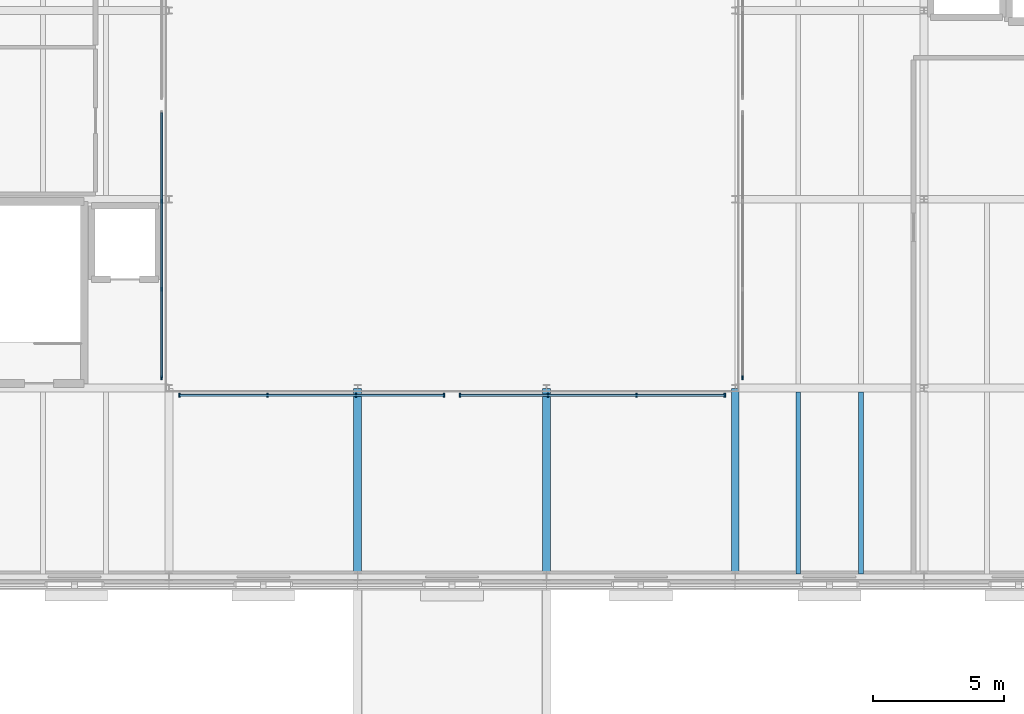
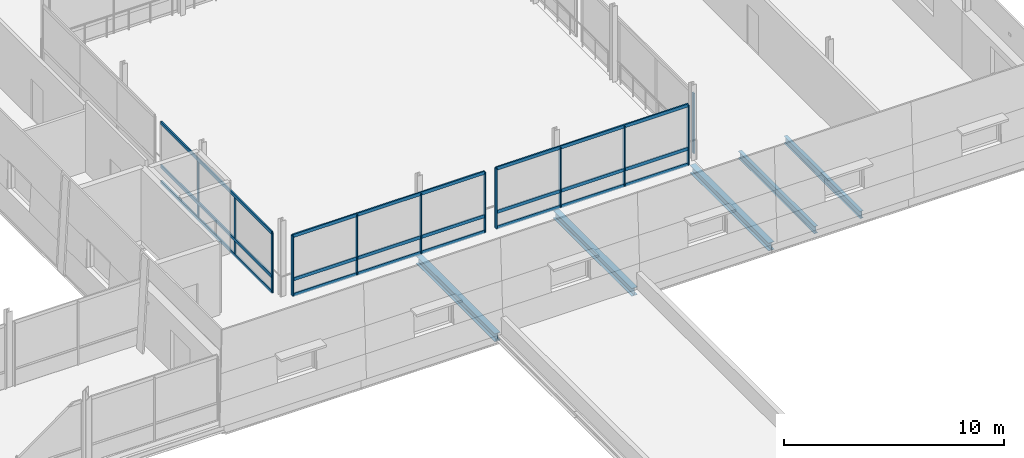
# One storey, part 38 of 115: 21 members, 5 beams, 4 elements without a shape of their own.
"""IFC4 building model written with IfcOpenShell, lengths in metres."""

import ifcopenshell
import ifcopenshell.guid

model = None  # the IFC model being written
_history = None  # IfcOwnerHistory: only IFC2X3 demands one
_inside = {}  # id of a spatial element -> (the spatial element, [elements in it])
_under = {}  # id of a project, library or spatial element -> (it, [spatial elements below it])
_declared = {}  # id of a project -> (the project, [libraries it declares])
_typed = {}  # id of a type object -> (the type object, [elements of that type])
_made_of = {}  # id of a material, layer set ... -> (it, [elements and type objects made of it])


def new_model(schema):
    """Start an empty IFC model of exactly this schema.

    Asked for "IFC4X3", IfcOpenShell would pick the latest addendum, in which some entities
    have other attributes; the version numbers below select the first issue.
    IFC2X3 requires an IfcOwnerHistory on every rooted entity: one is made here for all.
    """
    global model, _history
    if schema == "IFC4X3":
        model = ifcopenshell.file(schema_version=(4, 3, 0, 0))
    else:
        model = ifcopenshell.file(schema=schema)
    _inside.clear()
    _under.clear()
    _declared.clear()
    _typed.clear()
    _made_of.clear()
    _history = None
    if model.schema == "IFC2X3":
        org = make("IfcOrganization", Name="unknown")
        user = make(
            "IfcPersonAndOrganization",
            ThePerson=make("IfcPerson", FamilyName="unknown"),
            TheOrganization=org,
        )
        app = make(
            "IfcApplication",
            ApplicationDeveloper=org,
            Version="unknown",
            ApplicationFullName="unknown",
            ApplicationIdentifier="unknown",
        )
        _history = make(
            "IfcOwnerHistory",
            OwningUser=user,
            OwningApplication=app,
            ChangeAction="ADDED",
            CreationDate=0,
        )
    return model


def make(cls, **values):
    """One entity of the class cls with the attributes given. An attribute that is None is left unset."""
    return model.create_entity(
        cls, **{name: value for name, value in values.items() if value is not None}
    )


def rooted(cls, **values):
    """An entity with a GlobalId (a new one), such as an element, a storey or a relation."""
    return make(cls, GlobalId=ifcopenshell.guid.new(), OwnerHistory=_history, **values)


def si_unit(unit_type, name, prefix=None):
    """IfcSIUnit, for example si_unit("LENGTHUNIT", "METRE", prefix="MILLI")."""
    return make("IfcSIUnit", UnitType=unit_type, Prefix=prefix, Name=name)


def assignment(units):
    """IfcUnitAssignment: the units of a project."""
    return None if units is None else make("IfcUnitAssignment", Units=units)


def point(xyz):
    """IfcCartesianPoint."""
    return None if xyz is None else make("IfcCartesianPoint", Coordinates=xyz)


def direction(xyz):
    """IfcDirection."""
    return None if xyz is None else make("IfcDirection", DirectionRatios=xyz)


def frame(location, z_axis=None, x_axis=None):
    """IfcAxis2Placement3D, a coordinate frame: its origin and axes. An axis left out is left unset."""
    return make(
        "IfcAxis2Placement3D",
        Location=point(location),
        Axis=direction(z_axis),
        RefDirection=direction(x_axis),
    )


def frame_2d(location, x_axis=None):
    """IfcAxis2Placement2D, a coordinate frame in the plane: its origin and x axis."""
    return make(
        "IfcAxis2Placement2D", Location=point(location), RefDirection=direction(x_axis)
    )


def origin():
    """The frame at (0, 0, 0) with its axes left unset."""
    return frame((0.0, 0.0, 0.0))


def origin_2d():
    """The frame at (0, 0) in the plane with its x axis left unset."""
    return frame_2d((0.0, 0.0))


def place(relative_to, where):
    """IfcLocalPlacement: puts the frame where relative to a parent placement (None: the world)."""
    return make(
        "IfcLocalPlacement", PlacementRelTo=relative_to, RelativePlacement=where
    )


def context(
    kind, dimensions, precision=None, world=None, true_north=None, identifier=None
):
    """IfcGeometricRepresentationContext, for example the 3D "Model" context."""
    return make(
        "IfcGeometricRepresentationContext",
        ContextIdentifier=identifier,
        ContextType=kind,
        CoordinateSpaceDimension=dimensions,
        Precision=precision,
        WorldCoordinateSystem=world,
        TrueNorth=true_north,
    )


def subcontext(parent, identifier, kind, view, scale=None):
    """IfcGeometricRepresentationSubContext, for example "Body" below "Model"."""
    return make(
        "IfcGeometricRepresentationSubContext",
        ContextIdentifier=identifier,
        ContextType=kind,
        ParentContext=parent,
        TargetScale=scale,
        TargetView=view,
    )


def project(units=None, contexts=None):
    """IfcProject with its units and contexts."""
    return rooted(
        "IfcProject",
        Name="project",
        RepresentationContexts=contexts,
        UnitsInContext=assignment(units),
    )


def spatial(cls, under=None, at=None, **own):
    """A site, building, storey or space (cls), placed at a placement, below another one or the project."""
    s = rooted(cls, ObjectPlacement=at, **own)
    if under is not None:
        _under.setdefault(under.id(), (under, []))[1].append(s)
    return s


def profile(cls, at=None, kind="AREA", **sizes):
    """A parametric profile (cls). Its sizes go by their IFC names, for example OverallWidth=200.0."""
    return make(cls, ProfileType=kind, Position=at, **sizes)


def rectangle(**sizes):
    """IfcRectangleProfileDef."""
    return profile("IfcRectangleProfileDef", **sizes)


def i_section(**sizes):
    """IfcIShapeProfileDef."""
    return profile("IfcIShapeProfileDef", **sizes)


def extrude(swept, where, along, depth):
    """IfcExtrudedAreaSolid: the profile swept, set in the frame where, extruded along a direction by depth."""
    return make(
        "IfcExtrudedAreaSolid",
        SweptArea=swept,
        Position=where,
        ExtrudedDirection=direction(along),
        Depth=depth,
    )


def shape(context_of_items, identifier, shape_type, items):
    """IfcShapeRepresentation: the items that make up one representation, for example the "Body"."""
    return make(
        "IfcShapeRepresentation",
        ContextOfItems=context_of_items,
        RepresentationIdentifier=identifier,
        RepresentationType=shape_type,
        Items=items,
    )


def material(Name=None, Category=None):
    """IfcMaterial."""
    return make("IfcMaterial", Name=Name, Category=Category)


def layer(
    of_material, thickness, ventilated=None, Name=None, Category=None, Priority=None
):
    """IfcMaterialLayer: one layer of a wall or slab, of a material (None: an air gap)."""
    return make(
        "IfcMaterialLayer",
        Material=of_material,
        LayerThickness=thickness,
        IsVentilated=ventilated,
        Name=Name,
        Category=Category,
        Priority=Priority,
    )


def layer_set(layers, Name=None):
    """IfcMaterialLayerSet."""
    return make("IfcMaterialLayerSet", MaterialLayers=layers, LayerSetName=Name)


def material_profile(
    of_material, cross_section, Name=None, Category=None, Priority=None
):
    """IfcMaterialProfile: a cross section and its material."""
    return make(
        "IfcMaterialProfile",
        Name=Name,
        Material=of_material,
        Profile=cross_section,
        Priority=Priority,
        Category=Category,
    )


def profile_set(profiles, Name=None, composite=None):
    """IfcMaterialProfileSet."""
    return make(
        "IfcMaterialProfileSet",
        Name=Name,
        MaterialProfiles=profiles,
        CompositeProfile=composite,
    )


def made_of(thing, what):
    """Note that an element or type object is made of a material, layer set ...; save() writes the relation."""
    if what is not None:
        _made_of.setdefault(what.id(), (what, []))[1].append(thing)
    return thing


def type_object(cls, material=None, **own):
    """A type object (cls), such as IfcWallType, which elements share."""
    return made_of(rooted(cls, **own), material)


def element(
    cls,
    number,
    at=None,
    inside=None,
    cuts=None,
    type_object=None,
    material=None,
    context=None,
    identifier="Body",
    shape_type=None,
    held_by="IfcProductDefinitionShape",
    body=None,
    shapes=None,
    **own,
):
    """One element of the class cls, such as IfcWall. Its Tag is "e" and its number.

    at: its placement. inside: the storey or other place that contains it. cuts: it is an
    opening in that element (IfcRelVoidsElement). A single representation is given by context,
    identifier, shape_type and body (its items); several are given by shapes. held_by: the class
    of the entity that holds the representations. save() writes the other relations.
    """
    e = rooted(cls, Tag="e%d" % number, ObjectPlacement=at, **own)
    if body is not None:
        shapes = [shape(context, identifier, shape_type, body)]
    if shapes is not None:
        e.Representation = make(held_by, Representations=shapes)
    if inside is not None:
        _inside.setdefault(inside.id(), (inside, []))[1].append(e)
    if cuts is not None:
        rooted(
            "IfcRelVoidsElement", RelatingBuildingElement=cuts, RelatedOpeningElement=e
        )
    if type_object is not None:
        _typed.setdefault(type_object.id(), (type_object, []))[1].append(e)
    return made_of(e, material)


def aggregate(whole, parts):
    """IfcRelAggregates: a whole, such as a stair, and the parts it consists of."""
    return rooted("IfcRelAggregates", RelatingObject=whole, RelatedObjects=parts)


def save(model, path):
    """Write the relations noted so far, then the file.

    IfcRelAggregates (storeys below a building ...), IfcRelContainedInSpatialStructure (elements
    in a storey), IfcRelDefinesByType, IfcRelAssociatesMaterial and IfcRelDeclares: one each for
    every whole, place, type object, material and project.
    """
    for whole, parts in _under.values():
        aggregate(whole, parts)
    for where, things in _inside.values():
        rooted(
            "IfcRelContainedInSpatialStructure",
            RelatedElements=things,
            RelatingStructure=where,
        )
    for kind, things in _typed.values():
        rooted("IfcRelDefinesByType", RelatedObjects=things, RelatingType=kind)
    for what, things in _made_of.values():
        rooted("IfcRelAssociatesMaterial", RelatedObjects=things, RelatingMaterial=what)
    for by, libraries in _declared.values():
        rooted("IfcRelDeclares", RelatingContext=by, RelatedDefinitions=libraries)
    model.write(path)


model = new_model("IFC4")

# Units and contexts
model_context = context("Model", 3, precision=1e-05, world=origin(), true_north=direction((0.0, 1.0)))
body_context = subcontext(model_context, "Body", "Model", "MODEL_VIEW")
ifc_project = project(units=[si_unit("LENGTHUNIT", "METRE"), si_unit("AREAUNIT", "SQUARE_METRE"), si_unit("VOLUMEUNIT", "CUBIC_METRE"), si_unit("PLANEANGLEUNIT", "RADIAN"), si_unit("MASSUNIT", "GRAM", prefix="KILO")], contexts=[model_context])

# Site, building, storey
site_placement = place(None, origin())
site = spatial("IfcSite", under=ifc_project, at=site_placement, CompositionType="ELEMENT")
building_placement = place(site_placement, origin())
building = spatial("IfcBuilding", under=site, at=building_placement, Name="Narikvali Park Central Library", CompositionType="ELEMENT")
storey_placement = place(building_placement, frame((0.0, 0.0, 10.199951171875)))
storey = spatial("IfcBuildingStorey", under=building, at=storey_placement, Name="L02", CompositionType="ELEMENT", Elevation=10.199951171875)

# Beams
ifc_material_1 = material(Name="Steel S355", Category="steel")
ifc_material_profile_1 = material_profile(ifc_material_1, i_section(OverallWidth=0.179931640625, OverallDepth=0.39990234375, WebThickness=0.008544921875, FlangeThickness=0.013427734375, FilletRadius=0.02099609375, at=origin_2d()), Name="IPE 400")
ifc_profile_set_1 = profile_set([ifc_material_profile_1], Name="Steel S355")
beam_type_1 = type_object("IfcBeamType", Name="Composite Floor Joist IPE400", PredefinedType="JOIST", material=ifc_profile_set_1)
for number, where, z_axis, x_axis, name in (
    (1, (153.60009765625, 79.304931640625, -0.47998046875), (0.0, 1.0, 0.0), (-1.0, 0.0, 0.0), "V3 L02 Composite Joist 1"),
    (2, (156.0, 79.304931640625, -0.47998046875), (0.0, 1.0, 0.0), (-1.0, 0.0, 0.0), "V3 L02 Composite Joist 2"),
):
    element("IfcBeam", number, at=place(storey_placement, frame(where, z_axis=z_axis, x_axis=x_axis)), inside=storey, type_object=beam_type_1, Name=name, PredefinedType="JOIST", context=body_context, shape_type="SweptSolid", body=[
        extrude(i_section(OverallWidth=0.179931640625, OverallDepth=0.39990234375, WebThickness=0.008544921875, FlangeThickness=0.013427734375, FilletRadius=0.02099609375, at=origin_2d()), origin(), (0.0, 0.0, 1.0), 6.945068359375),
    ])

# Curtain wall, members
ifc_material_2 = material(Name="Anodised Bronze Aluminium", Category="aluminium")
ifc_layer = layer(ifc_material_2, 0.219970703125, Name="Anodised Bronze Aluminium")
ifc_layer_set = layer_set([ifc_layer], Name="Anodised Bronze Aluminium")
curtain_wall_type = type_object("IfcCurtainWallType", Name="Atrium Tall Curtain Wall System", PredefinedType="NOTDEFINED", material=ifc_layer_set)
curtain_wall_1_placement = place(storey_placement, origin())
curtain_wall_1 = element("IfcCurtainWall", 3, at=curtain_wall_1_placement, inside=storey, type_object=curtain_wall_type, Name="Atrium Tall Curtain Wall System CW-INT-V3-L02-W1", PredefinedType="NOTDEFINED")
ifc_material_profile_2 = material_profile(ifc_material_2, rectangle(XDim=0.074951171875, YDim=0.179931640625, at=origin_2d()), Name="CW TRANSOM 75x180")
ifc_profile_set_2 = profile_set([ifc_material_profile_2], Name="Anodised Bronze Aluminium")
member_type_1 = type_object("IfcMemberType", Name="Curtain Wall Heavy Transom 75x180", PredefinedType="USERDEFINED", material=ifc_profile_set_2)
member_1_placement = place(storey_placement, frame((129.320068359375, 86.800048828125, 0.030029296875), z_axis=(0.0, 1.0, 0.0), x_axis=(-1.0, 0.0, 0.0)))
member_1 = element("IfcMember", 4, at=member_1_placement, type_object=member_type_1, Name="CW-INT-V3-L02-W1 Transom 00", ObjectType="TRANSOM", PredefinedType="USERDEFINED", context=body_context, shape_type="SweptSolid", body=[
    extrude(rectangle(XDim=0.074951171875, YDim=0.179931640625, at=origin_2d()), origin(), (0.0, 0.0, 1.0), 10.099853515625),
])
member_2_placement = place(storey_placement, frame((129.320068359375, 86.800048828125, 0.900146484375), z_axis=(0.0, 1.0, 0.0), x_axis=(-1.0, 0.0, 0.0)))
member_2 = element("IfcMember", 5, at=member_2_placement, type_object=member_type_1, Name="CW-INT-V3-L02-W1 Transom 01", ObjectType="TRANSOM", PredefinedType="USERDEFINED", context=body_context, shape_type="SweptSolid", body=[
    extrude(rectangle(XDim=0.074951171875, YDim=0.179931640625, at=origin_2d()), origin(), (0.0, 0.0, 1.0), 10.099853515625),
])
member_3_placement = place(storey_placement, frame((129.320068359375, 86.800048828125, 3.31005859375), z_axis=(0.0, 1.0, 0.0), x_axis=(-1.0, 0.0, 0.0)))
member_3 = element("IfcMember", 6, at=member_3_placement, type_object=member_type_1, Name="CW-INT-V3-L02-W1 Transom 02", ObjectType="TRANSOM", PredefinedType="USERDEFINED", context=body_context, shape_type="SweptSolid", body=[
    extrude(rectangle(XDim=0.074951171875, YDim=0.179931640625, at=origin_2d()), origin(), (0.0, 0.0, 1.0), 10.099853515625),
])

curtain_wall_2_placement = place(storey_placement, origin())
curtain_wall_2 = element("IfcCurtainWall", 7, at=curtain_wall_2_placement, inside=storey, type_object=curtain_wall_type, Name="Atrium Tall Curtain Wall System CW-INT-V3-L02-S1", PredefinedType="NOTDEFINED")
member_4_placement = place(storey_placement, frame((130.0, 86.1201171875, 0.030029296875), z_axis=(1.0, 0.0, 0.0), x_axis=(0.0, 1.0, 0.0)))
member_4 = element("IfcMember", 8, at=member_4_placement, type_object=member_type_1, Name="CW-INT-V3-L02-S1 Transom 00", ObjectType="TRANSOM", PredefinedType="USERDEFINED", context=body_context, shape_type="SweptSolid", body=[
    extrude(rectangle(XDim=0.074951171875, YDim=0.179931640625, at=origin_2d()), origin(), (0.0, 0.0, 1.0), 10.10009765625),
])
member_5_placement = place(storey_placement, frame((130.0, 86.1201171875, 0.900146484375), z_axis=(1.0, 0.0, 0.0), x_axis=(0.0, 1.0, 0.0)))
member_5 = element("IfcMember", 9, at=member_5_placement, type_object=member_type_1, Name="CW-INT-V3-L02-S1 Transom 01", ObjectType="TRANSOM", PredefinedType="USERDEFINED", context=body_context, shape_type="SweptSolid", body=[
    extrude(rectangle(XDim=0.074951171875, YDim=0.179931640625, at=origin_2d()), origin(), (0.0, 0.0, 1.0), 10.10009765625),
])
member_6_placement = place(storey_placement, frame((130.0, 86.1201171875, 3.31005859375), z_axis=(1.0, 0.0, 0.0), x_axis=(0.0, 1.0, 0.0)))
member_6 = element("IfcMember", 10, at=member_6_placement, type_object=member_type_1, Name="CW-INT-V3-L02-S1 Transom 02", ObjectType="TRANSOM", PredefinedType="USERDEFINED", context=body_context, shape_type="SweptSolid", body=[
    extrude(rectangle(XDim=0.074951171875, YDim=0.179931640625, at=origin_2d()), origin(), (0.0, 0.0, 1.0), 10.10009765625),
])

curtain_wall_3_placement = place(storey_placement, origin())
curtain_wall_3 = element("IfcCurtainWall", 11, at=curtain_wall_3_placement, inside=storey, type_object=curtain_wall_type, Name="Atrium Tall Curtain Wall System CW-INT-V3-L02-S2", PredefinedType="NOTDEFINED")
member_7_placement = place(storey_placement, frame((140.699951171875, 86.1201171875, 0.030029296875), z_axis=(1.0, 0.0, 0.0), x_axis=(0.0, 1.0, 0.0)))
member_7 = element("IfcMember", 12, at=member_7_placement, type_object=member_type_1, Name="CW-INT-V3-L02-S2 Transom 00", ObjectType="TRANSOM", PredefinedType="USERDEFINED", context=body_context, shape_type="SweptSolid", body=[
    extrude(rectangle(XDim=0.074951171875, YDim=0.179931640625, at=origin_2d()), origin(), (0.0, 0.0, 1.0), 10.10009765625),
])
member_8_placement = place(storey_placement, frame((140.699951171875, 86.1201171875, 0.900146484375), z_axis=(1.0, 0.0, 0.0), x_axis=(0.0, 1.0, 0.0)))
member_8 = element("IfcMember", 13, at=member_8_placement, type_object=member_type_1, Name="CW-INT-V3-L02-S2 Transom 01", ObjectType="TRANSOM", PredefinedType="USERDEFINED", context=body_context, shape_type="SweptSolid", body=[
    extrude(rectangle(XDim=0.074951171875, YDim=0.179931640625, at=origin_2d()), origin(), (0.0, 0.0, 1.0), 10.10009765625),
])
member_9_placement = place(storey_placement, frame((140.699951171875, 86.1201171875, 3.31005859375), z_axis=(1.0, 0.0, 0.0), x_axis=(0.0, 1.0, 0.0)))
member_9 = element("IfcMember", 14, at=member_9_placement, type_object=member_type_1, Name="CW-INT-V3-L02-S2 Transom 02", ObjectType="TRANSOM", PredefinedType="USERDEFINED", context=body_context, shape_type="SweptSolid", body=[
    extrude(rectangle(XDim=0.074951171875, YDim=0.179931640625, at=origin_2d()), origin(), (0.0, 0.0, 1.0), 10.10009765625),
])

# Member
ifc_material_profile_3 = material_profile(ifc_material_2, rectangle(XDim=0.06005859375, YDim=0.14990234375, at=origin_2d()), Name="CW MULLION 60x150")
ifc_profile_set_3 = profile_set([ifc_material_profile_3], Name="Anodised Bronze Aluminium")
member_type_2 = type_object("IfcMemberType", Name="Curtain Wall Mullion 60x150", PredefinedType="MULLION", material=ifc_profile_set_3)
member_10_placement = place(storey_placement, frame((129.320068359375, 86.800048828125, -0.010009765625), z_axis=(0.0, 0.0, 1.0), x_axis=(1.0, 0.0, 0.0)))
member_10 = element("IfcMember", 15, at=member_10_placement, type_object=member_type_2, Name="CW-INT-V3-L02-W1 Mullion 00", PredefinedType="MULLION", context=body_context, shape_type="SweptSolid", body=[
    extrude(rectangle(XDim=0.06005859375, YDim=0.14990234375, at=origin_2d()), origin(), (0.0, 0.0, 1.0), 3.35009765625),
])

member_11_placement = place(storey_placement, frame((129.320068359375, 90.166748046875, -0.010009765625), z_axis=(0.0, 0.0, 1.0), x_axis=(1.0, 0.0, 0.0)))
member_11 = element("IfcMember", 16, at=member_11_placement, type_object=member_type_2, Name="CW-INT-V3-L02-W1 Mullion 01", PredefinedType="MULLION", context=body_context, shape_type="SweptSolid", body=[
    extrude(rectangle(XDim=0.06005859375, YDim=0.14990234375, at=origin_2d()), origin(), (0.0, 0.0, 1.0), 3.35009765625),
])

member_12_placement = place(storey_placement, frame((129.320068359375, 93.533203125, -0.010009765625), z_axis=(0.0, 0.0, 1.0), x_axis=(1.0, 0.0, 0.0)))
member_12 = element("IfcMember", 17, at=member_12_placement, type_object=member_type_2, Name="CW-INT-V3-L02-W1 Mullion 02", PredefinedType="MULLION", context=body_context, shape_type="SweptSolid", body=[
    extrude(rectangle(XDim=0.06005859375, YDim=0.14990234375, at=origin_2d()), origin(), (0.0, 0.0, 1.0), 3.35009765625),
])

aggregate(curtain_wall_1, [member_10, member_11, member_12, member_1, member_2, member_3])

# Curtain wall, member
curtain_wall_4_placement = place(storey_placement, origin())
curtain_wall_4 = element("IfcCurtainWall", 18, at=curtain_wall_4_placement, inside=storey, type_object=curtain_wall_type, Name="Atrium Tall Curtain Wall System CW-INT-V3-L02-E1", PredefinedType="NOTDEFINED")
member_13_placement = place(storey_placement, frame((151.47998046875, 86.800048828125, -0.010009765625), z_axis=(0.0, 0.0, 1.0), x_axis=(1.0, 0.0, 0.0)))
member_13 = element("IfcMember", 19, at=member_13_placement, type_object=member_type_2, Name="CW-INT-V3-L02-E1 Mullion 00", PredefinedType="MULLION", context=body_context, shape_type="SweptSolid", body=[
    extrude(rectangle(XDim=0.06005859375, YDim=0.14990234375, at=origin_2d()), origin(), (0.0, 0.0, 1.0), 3.35009765625),
])
aggregate(curtain_wall_4, [member_13])

# Member
member_14_placement = place(storey_placement, frame((130.0, 86.1201171875, -0.010009765625), z_axis=(0.0, 0.0, 1.0), x_axis=(1.0, 0.0, 0.0)))
member_14 = element("IfcMember", 20, at=member_14_placement, type_object=member_type_2, Name="CW-INT-V3-L02-S1 Mullion 00", PredefinedType="MULLION", context=body_context, shape_type="SweptSolid", body=[
    extrude(rectangle(XDim=0.06005859375, YDim=0.14990234375, at=origin_2d()), origin(), (0.0, 0.0, 1.0), 3.35009765625),
])

member_15_placement = place(storey_placement, frame((133.36669921875, 86.1201171875, -0.010009765625), z_axis=(0.0, 0.0, 1.0), x_axis=(1.0, 0.0, 0.0)))
member_15 = element("IfcMember", 21, at=member_15_placement, type_object=member_type_2, Name="CW-INT-V3-L02-S1 Mullion 01", PredefinedType="MULLION", context=body_context, shape_type="SweptSolid", body=[
    extrude(rectangle(XDim=0.06005859375, YDim=0.14990234375, at=origin_2d()), origin(), (0.0, 0.0, 1.0), 3.35009765625),
])

member_16_placement = place(storey_placement, frame((136.7333984375, 86.1201171875, -0.010009765625), z_axis=(0.0, 0.0, 1.0), x_axis=(1.0, 0.0, 0.0)))
member_16 = element("IfcMember", 22, at=member_16_placement, type_object=member_type_2, Name="CW-INT-V3-L02-S1 Mullion 02", PredefinedType="MULLION", context=body_context, shape_type="SweptSolid", body=[
    extrude(rectangle(XDim=0.06005859375, YDim=0.14990234375, at=origin_2d()), origin(), (0.0, 0.0, 1.0), 3.35009765625),
])

member_17_placement = place(storey_placement, frame((140.10009765625, 86.1201171875, -0.010009765625), z_axis=(0.0, 0.0, 1.0), x_axis=(1.0, 0.0, 0.0)))
member_17 = element("IfcMember", 23, at=member_17_placement, type_object=member_type_2, Name="CW-INT-V3-L02-S1 Mullion 03", PredefinedType="MULLION", context=body_context, shape_type="SweptSolid", body=[
    extrude(rectangle(XDim=0.06005859375, YDim=0.14990234375, at=origin_2d()), origin(), (0.0, 0.0, 1.0), 3.35009765625),
])

aggregate(curtain_wall_2, [member_14, member_15, member_16, member_17, member_4, member_5, member_6])

member_18_placement = place(storey_placement, frame((140.699951171875, 86.1201171875, -0.010009765625), z_axis=(0.0, 0.0, 1.0), x_axis=(1.0, 0.0, 0.0)))
member_18 = element("IfcMember", 24, at=member_18_placement, type_object=member_type_2, Name="CW-INT-V3-L02-S2 Mullion 00", PredefinedType="MULLION", context=body_context, shape_type="SweptSolid", body=[
    extrude(rectangle(XDim=0.06005859375, YDim=0.14990234375, at=origin_2d()), origin(), (0.0, 0.0, 1.0), 3.35009765625),
])

member_19_placement = place(storey_placement, frame((144.066650390625, 86.1201171875, -0.010009765625), z_axis=(0.0, 0.0, 1.0), x_axis=(1.0, 0.0, 0.0)))
member_19 = element("IfcMember", 25, at=member_19_placement, type_object=member_type_2, Name="CW-INT-V3-L02-S2 Mullion 01", PredefinedType="MULLION", context=body_context, shape_type="SweptSolid", body=[
    extrude(rectangle(XDim=0.06005859375, YDim=0.14990234375, at=origin_2d()), origin(), (0.0, 0.0, 1.0), 3.35009765625),
])

member_20_placement = place(storey_placement, frame((147.433349609375, 86.1201171875, -0.010009765625), z_axis=(0.0, 0.0, 1.0), x_axis=(1.0, 0.0, 0.0)))
member_20 = element("IfcMember", 26, at=member_20_placement, type_object=member_type_2, Name="CW-INT-V3-L02-S2 Mullion 02", PredefinedType="MULLION", context=body_context, shape_type="SweptSolid", body=[
    extrude(rectangle(XDim=0.06005859375, YDim=0.14990234375, at=origin_2d()), origin(), (0.0, 0.0, 1.0), 3.35009765625),
])

member_21_placement = place(storey_placement, frame((150.800048828125, 86.1201171875, -0.010009765625), z_axis=(0.0, 0.0, 1.0), x_axis=(1.0, 0.0, 0.0)))
member_21 = element("IfcMember", 27, at=member_21_placement, type_object=member_type_2, Name="CW-INT-V3-L02-S2 Mullion 03", PredefinedType="MULLION", context=body_context, shape_type="SweptSolid", body=[
    extrude(rectangle(XDim=0.06005859375, YDim=0.14990234375, at=origin_2d()), origin(), (0.0, 0.0, 1.0), 3.35009765625),
])

aggregate(curtain_wall_3, [member_18, member_19, member_20, member_21, member_7, member_8, member_9])

# Beams
ifc_material_profile_4 = material_profile(ifc_material_1, i_section(OverallWidth=0.300048828125, OverallDepth=0.43994140625, WebThickness=0.011474609375, FlangeThickness=0.02099609375, FilletRadius=0.027099609375, at=origin_2d()), Name="HEA 450")
ifc_profile_set_4 = profile_set([ifc_material_profile_4], Name="Steel S355")
beam_type_2 = type_object("IfcBeamType", Name="Primary Girder HEA450", PredefinedType="BEAM", material=ifc_profile_set_4)
for number, where, z_axis, x_axis, name in (
    (28, (136.800048828125, 79.2080078125, -0.5), (0.0, 1.0, 0.0), (-1.0, 0.0, 0.0), "V3 L02 Girder Y"),
    (29, (144.0, 79.2080078125, -0.5), (0.0, 1.0, 0.0), (-1.0, 0.0, 0.0), "V3 L02 Girder Y"),
    (30, (151.199951171875, 79.2080078125, -0.5), (0.0, 1.0, 0.0), (-1.0, 0.0, 0.0), "V3 L02 Girder Y"),
):
    element("IfcBeam", number, at=place(storey_placement, frame(where, z_axis=z_axis, x_axis=x_axis)), inside=storey, type_object=beam_type_2, Name=name, PredefinedType="BEAM", context=body_context, shape_type="SweptSolid", body=[
        extrude(i_section(OverallWidth=0.300048828125, OverallDepth=0.43994140625, WebThickness=0.011474609375, FlangeThickness=0.02099609375, FilletRadius=0.027099609375, at=origin_2d()), origin(), (0.0, 0.0, 1.0), 7.18408203125),
    ])

save(model, "model.ifc")
